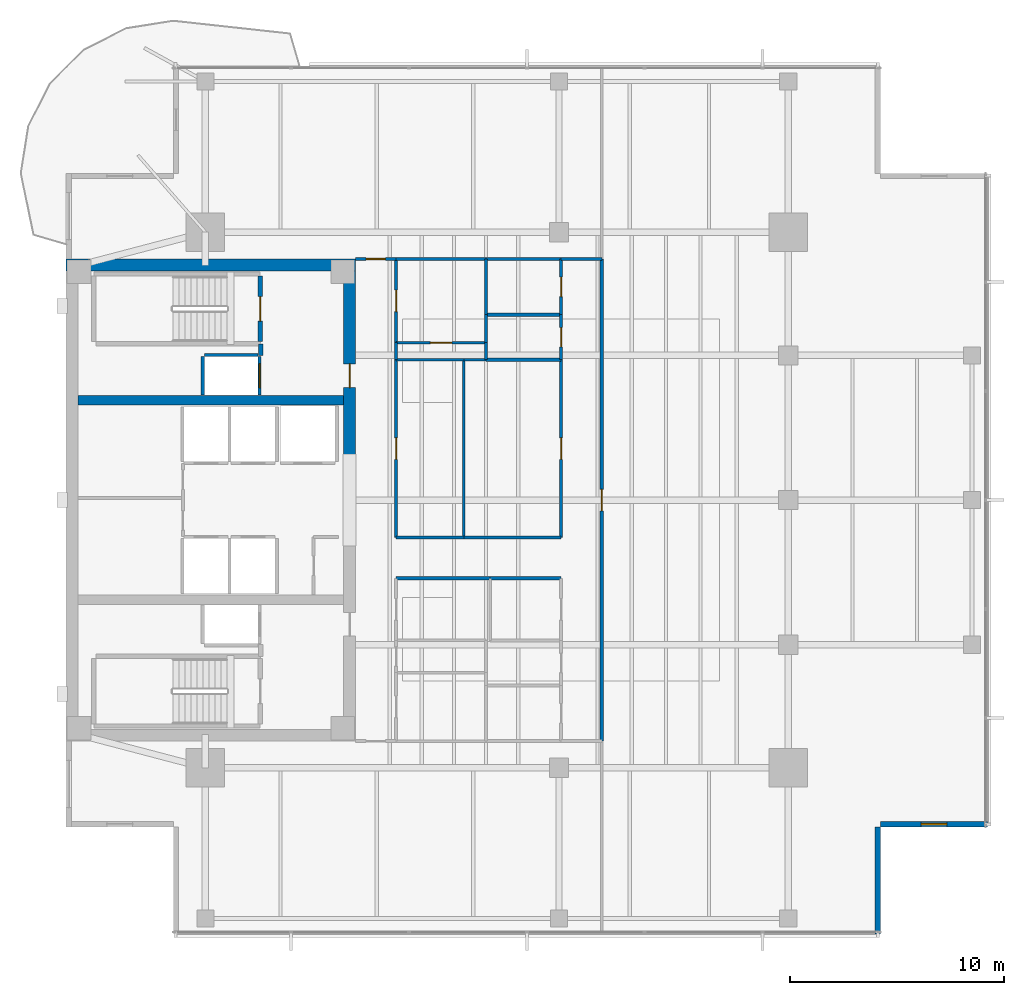
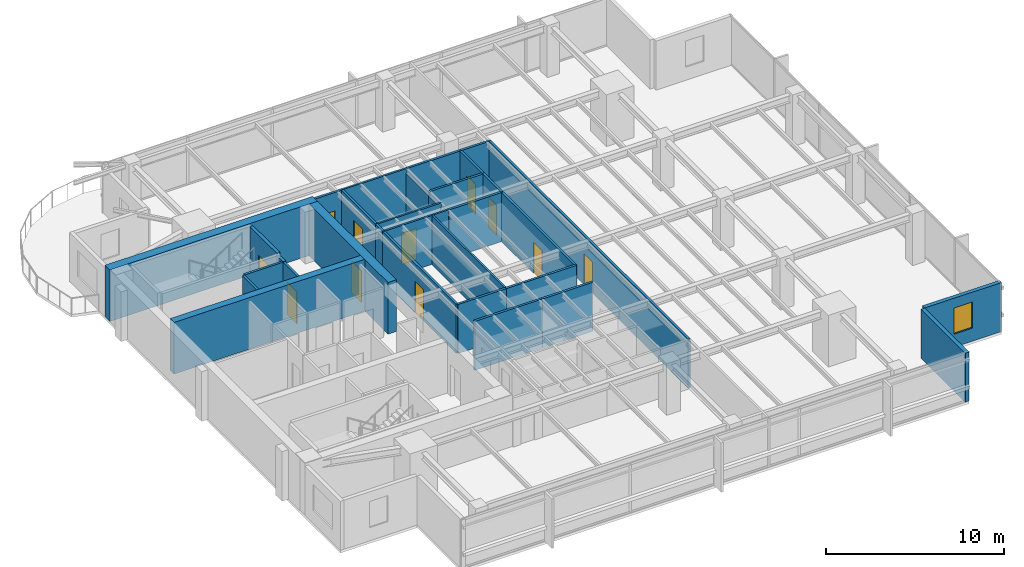
# One storey, part 9 of 14: 34 walls, 11 doors, 1 window, 12 openings.
"""IFC4 building model written with IfcOpenShell, lengths in metres."""

from ifc_helpers import new_model, si_unit, direction, frame, frame_2d, origin, place, context, subcontext, project, spatial, rectangle, extrude, material, layer, layer_set, type_object, element, fill, save


model = new_model("IFC4")

# Units and contexts
model_context = context("Model", 3, precision=1e-05, world=origin(), true_north=direction((0.0, 1.0)))
body_context = subcontext(model_context, "Body", "Model", "MODEL_VIEW")
ifc_project = project(units=[si_unit("LENGTHUNIT", "METRE"), si_unit("AREAUNIT", "SQUARE_METRE"), si_unit("VOLUMEUNIT", "CUBIC_METRE"), si_unit("PLANEANGLEUNIT", "RADIAN"), si_unit("MASSUNIT", "GRAM", prefix="KILO")], contexts=[model_context])

# Site, building, storey
site_placement = place(None, origin())
site = spatial("IfcSite", under=ifc_project, at=site_placement, CompositionType="ELEMENT")
building_placement = place(site_placement, origin())
building = spatial("IfcBuilding", under=site, at=building_placement, Name="Kinhvarn Gate Tower", CompositionType="ELEMENT")
storey_placement = place(building_placement, frame((0.0, 0.0, 191.60009765625)))
storey = spatial("IfcBuildingStorey", under=building, at=storey_placement, Name="L50", CompositionType="ELEMENT", Elevation=191.60009765625)

# Walls
ifc_material_1 = material(Name="Concrete C50/60", Category="concrete")
ifc_layer_1 = layer(ifc_material_1, 0.449951171875)
ifc_layer_set_1 = layer_set([ifc_layer_1], Name="Concrete C50/60")
wall_type_1 = type_object("IfcWallType", Name="WL-CORE-450", PredefinedType="SHEAR", material=ifc_layer_set_1)
wall_1_placement = place(storey_placement, frame((5.050048828125, 29.89990234375, 0.0), z_axis=(0.0, 0.0, 1.0), x_axis=(1.0, 0.0, 0.0)))
element("IfcWall", 1, at=wall_1_placement, inside=storey, type_object=wall_type_1, Name="Core North Spine Shear Wall L50 450 mm", PredefinedType="SHEAR", context=body_context, shape_type="SweptSolid", body=[
    extrude(rectangle(XDim=12.39990234375, YDim=0.449951171875, at=frame_2d((6.199951171875, 0.0))), origin(), (0.0, 0.0, 1.0), 3.5498046875),
])
ifc_material_2 = material(Name="Concrete C60/75", Category="concrete")
ifc_layer_2 = layer(ifc_material_2, 0.550048828125)
ifc_layer_set_2 = layer_set([ifc_layer_2], Name="Concrete C60/75")
wall_type_2 = type_object("IfcWallType", Name="WL-CORE-550", PredefinedType="SHEAR", material=ifc_layer_set_2)
wall_2_placement = place(storey_placement, frame((4.5, 36.22509765625, 0.0), z_axis=(0.0, 0.0, 1.0), x_axis=(1.0, 0.0, 0.0)))
element("IfcWall", 2, at=wall_2_placement, inside=storey, type_object=wall_type_2, Name="Core North Shear Wall L50 550 mm", PredefinedType="SHEAR", context=body_context, shape_type="SweptSolid", body=[
    extrude(rectangle(XDim=13.5, YDim=0.550048828125, at=frame_2d((6.75, 0.0))), origin(), (0.0, 0.0, 1.0), 3.5498046875),
])

# Wall, opening, door
wall_3_placement = place(storey_placement, frame((17.72509765625, 27.050048828125, 0.0), z_axis=(0.0, 0.0, 1.0), x_axis=(0.0, 1.0, 0.0)))
wall_3 = element("IfcWall", 3, at=wall_3_placement, inside=storey, type_object=wall_type_2, Name="Core East-North Shear Pier L50 550 mm", PredefinedType="SHEAR", context=body_context, shape_type="SweptSolid", body=[
    extrude(rectangle(XDim=8.89990234375, YDim=0.550048828125, at=frame_2d((4.449951171875, 0.0))), origin(), (0.0, 0.0, 1.0), 3.5498046875),
])
opening_1_placement = place(wall_3_placement, frame((3.449951171875, 0.0, 0.0)))
opening_1 = element("IfcOpeningElement", 4, at=opening_1_placement, cuts=wall_3, Name="Opening FD-02", PredefinedType="OPENING", context=body_context, shape_type="SweptSolid", body=[
    extrude(rectangle(XDim=1.10009765625, YDim=2.14990234375, at=frame_2d((0.550048828125, 1.074951171875))), frame((0.0, 0.28515625, 0.0), z_axis=(0.0, -1.0, 0.0), x_axis=(1.0, 0.0, 0.0)), (0.0, 0.0, 1.0), 0.570068359375),
])
ifc_material_3 = material(Name="Anodised aluminium AW-6063", Category="aluminium")
door_type_1 = type_object("IfcDoorType", Name="DR-FD-1100", OperationType="NOTDEFINED", PredefinedType="DOOR", material=ifc_material_3)
door_1_placement = place(opening_1_placement, origin())
door_1 = element("IfcDoor", 5, at=door_1_placement, inside=storey, type_object=door_type_1, Name="Firefighting Lobby Core Door (L50)", OperationType="SINGLE_SWING_LEFT", OverallHeight=2.14990234375, OverallWidth=1.10009765625, PredefinedType="DOOR", context=body_context, shape_type="SweptSolid", body=[
    extrude(rectangle(XDim=1.10009765625, YDim=2.14990234375, at=frame_2d((0.550048828125, 1.074951171875))), frame((0.0, 0.02490234375, 0.0), z_axis=(0.0, -1.0, 0.0), x_axis=(1.0, 0.0, 0.0)), (0.0, 0.0, 1.0), 0.050048828125),
])
fill(opening_1, door_1)

# Wall
ifc_material_4 = material(Name="Fired architectural terracotta", Category="masonry")
ifc_layer_3 = layer(ifc_material_4, 0.25)
ifc_layer_set_3 = layer_set([ifc_layer_3], Name="Fired architectural terracotta")
wall_type_3 = type_object("IfcWallType", Name="WL-EXT-250", PredefinedType="SOLIDWALL", material=ifc_layer_set_3)
wall_4_placement = place(storey_placement, frame((42.375, 5.0, 0.0), z_axis=(0.0, 0.0, 1.0), x_axis=(0.0, 1.0, 0.0)))
element("IfcWall", 6, at=wall_4_placement, inside=storey, type_object=wall_type_3, Name="Exterior Solidwall Wall EW-250 (L50 SE-Notch-1)", PredefinedType="SOLIDWALL", context=body_context, shape_type="SweptSolid", body=[
    extrude(rectangle(XDim=5.0, YDim=0.25, at=frame_2d((2.5, 0.0))), origin(), (0.0, 0.0, 1.0), 3.369873046875),
])

# Wall, opening, window
wall_5_placement = place(storey_placement, frame((42.5, 10.125, 0.0), z_axis=(0.0, 0.0, 1.0), x_axis=(1.0, 0.0, 0.0)))
wall_5 = element("IfcWall", 7, at=wall_5_placement, inside=storey, type_object=wall_type_3, Name="Exterior Solidwall Wall EW-250 (L50 SE-Notch-2)", PredefinedType="SOLIDWALL", context=body_context, shape_type="SweptSolid", body=[
    extrude(rectangle(XDim=5.0, YDim=0.25, at=frame_2d((2.5, 0.0))), origin(), (0.0, 0.0, 1.0), 3.369873046875),
])
opening_2_placement = place(wall_5_placement, frame((1.89990234375, 0.0, 0.89990234375)))
opening_2 = element("IfcOpeningElement", 8, at=opening_2_placement, cuts=wall_5, Name="Opening WN-02", PredefinedType="OPENING", context=body_context, shape_type="SweptSolid", body=[
    extrude(rectangle(XDim=1.199951171875, YDim=1.800048828125, at=frame_2d((0.60009765625, 0.89990234375))), frame((0.0, 0.135009765625, 0.0), z_axis=(0.0, -1.0, 0.0), x_axis=(1.0, 0.0, 0.0)), (0.0, 0.0, 1.0), 0.27001953125),
])
ifc_material_5 = material(Name="Clear low-e double glazing", Category="glass")
window_type = type_object("IfcWindowType", Name="WIN-NTC-1200", PartitioningType="SINGLE_PANEL", PredefinedType="WINDOW", material=ifc_material_5)
window_placement = place(opening_2_placement, origin())
window = element("IfcWindow", 9, at=window_placement, inside=storey, type_object=window_type, Name="Recessed Corner Notch Punched Window 1200x1800 mm (L50)", OverallHeight=1.800048828125, OverallWidth=1.199951171875, PartitioningType="SINGLE_PANEL", PredefinedType="WINDOW", context=body_context, shape_type="SweptSolid", body=[
    extrude(rectangle(XDim=1.199951171875, YDim=1.800048828125, at=frame_2d((0.60009765625, 0.89990234375))), frame((0.0, 0.030029296875, 0.0), z_axis=(0.0, -1.0, 0.0), x_axis=(1.0, 0.0, 0.0)), (0.0, 0.0, 1.0), 0.06005859375),
])
fill(opening_2, window)

# Walls
ifc_material_6 = material(Name="Gypsum acoustic partition board")
ifc_layer_4 = layer(ifc_material_6, 0.14990234375)
ifc_layer_set_4 = layer_set([ifc_layer_4], Name="Gypsum acoustic partition board")
wall_type_4 = type_object("IfcWallType", Name="WL-PLM-150", PredefinedType="PLUMBINGWALL", material=ifc_layer_set_4)
wall_6_placement = place(storey_placement, frame((24.10009765625, 33.89990234375, 0.0), z_axis=(0.0, 0.0, 1.0), x_axis=(1.0, 0.0, 0.0)))
element("IfcWall", 10, at=wall_6_placement, inside=storey, type_object=wall_type_4, Name="Interior Partition PLW-150 (L50)", PredefinedType="PLUMBINGWALL", context=body_context, shape_type="SweptSolid", body=[
    extrude(rectangle(XDim=3.5, YDim=0.14990234375, at=frame_2d((1.75, 0.0))), origin(), (0.0, 0.0, 1.0), 3.369873046875),
])
wall_7_placement = place(storey_placement, frame((24.10009765625, 33.89990234375, 0.0), z_axis=(0.0, 0.0, 1.0), x_axis=(0.0, 1.0, 0.0)))
element("IfcWall", 11, at=wall_7_placement, inside=storey, type_object=wall_type_4, Name="Interior Partition PLW-150 (L50)", PredefinedType="PLUMBINGWALL", context=body_context, shape_type="SweptSolid", body=[
    extrude(rectangle(XDim=2.60009765625, YDim=0.14990234375, at=frame_2d((1.300048828125, 0.0))), origin(), (0.0, 0.0, 1.0), 3.06982421875),
])
wall_8_placement = place(storey_placement, frame((24.10009765625, 36.5, 0.0), z_axis=(0.0, 0.0, 1.0), x_axis=(1.0, 0.0, 0.0)))
element("IfcWall", 12, at=wall_8_placement, inside=storey, type_object=wall_type_4, Name="Interior Partition PLW-150 (L50)", PredefinedType="PLUMBINGWALL", context=body_context, shape_type="SweptSolid", body=[
    extrude(rectangle(XDim=3.5, YDim=0.14990234375, at=frame_2d((1.75, 0.0))), origin(), (0.0, 0.0, 1.0), 3.369873046875),
])
wall_9_placement = place(storey_placement, frame((24.10009765625, 32.60009765625, 0.0), z_axis=(0.0, 0.0, 1.0), x_axis=(0.0, 1.0, 0.0)))
element("IfcWall", 13, at=wall_9_placement, inside=storey, type_object=wall_type_4, Name="Interior Partition PLW-150 (L50)", PredefinedType="PLUMBINGWALL", context=body_context, shape_type="SweptSolid", body=[
    extrude(rectangle(XDim=1.2998046875, YDim=0.14990234375, at=frame_2d((0.64990234375, 0.0))), origin(), (0.0, 0.0, 1.0), 3.06982421875),
])
wall_10_placement = place(storey_placement, frame((24.10009765625, 31.800048828125, 0.0), z_axis=(0.0, 0.0, 1.0), x_axis=(0.0, 1.0, 0.0)))
element("IfcWall", 14, at=wall_10_placement, inside=storey, type_object=wall_type_4, Name="Interior Partition PLW-150 (L50)", PredefinedType="PLUMBINGWALL", context=body_context, shape_type="SweptSolid", body=[
    extrude(rectangle(XDim=0.800048828125, YDim=0.14990234375, at=frame_2d((0.39990234375, 0.0))), origin(), (0.0, 0.0, 1.0), 3.06982421875),
])
wall_11_placement = place(storey_placement, frame((24.10009765625, 31.800048828125, 0.0), z_axis=(0.0, 0.0, 1.0), x_axis=(1.0, 0.0, 0.0)))
element("IfcWall", 15, at=wall_11_placement, inside=storey, type_object=wall_type_4, Name="Interior Partition PLW-150 (L50)", PredefinedType="PLUMBINGWALL", context=body_context, shape_type="SweptSolid", body=[
    extrude(rectangle(XDim=3.5, YDim=0.14990234375, at=frame_2d((1.75, 0.0))), origin(), (0.0, 0.0, 1.0), 3.369873046875),
])

# Wall, opening, door
ifc_layer_5 = layer(ifc_material_6, 0.14990234375)
ifc_layer_set_5 = layer_set([ifc_layer_5], Name="Gypsum acoustic partition board")
wall_type_5 = type_object("IfcWallType", Name="WL-PLM-150F", PredefinedType="PLUMBINGWALL", material=ifc_layer_set_5)
wall_12_placement = place(storey_placement, frame((27.60009765625, 33.89990234375, 0.0), z_axis=(0.0, 0.0, 1.0), x_axis=(0.0, 1.0, 0.0)))
wall_12 = element("IfcWall", 16, at=wall_12_placement, inside=storey, type_object=wall_type_5, Name="Interior Partition PLW-150F (L50)", PredefinedType="PLUMBINGWALL", context=body_context, shape_type="SweptSolid", body=[
    extrude(rectangle(XDim=2.60009765625, YDim=0.14990234375, at=frame_2d((1.300048828125, 0.0))), origin(), (0.0, 0.0, 1.0), 3.369873046875),
])
opening_3_placement = place(wall_12_placement, frame((0.85009765625, 0.0, 0.0)))
opening_3 = element("IfcOpeningElement", 17, at=opening_3_placement, cuts=wall_12, Name="Opening FD-04", PredefinedType="OPENING", context=body_context, shape_type="SweptSolid", body=[
    extrude(rectangle(XDim=0.89990234375, YDim=2.10009765625, at=frame_2d((0.449951171875, 1.050048828125))), frame((0.0, 0.0849609375, 0.0), z_axis=(0.0, -1.0, 0.0), x_axis=(1.0, 0.0, 0.0)), (0.0, 0.0, 1.0), 0.169921875),
])
door_type_2 = type_object("IfcDoorType", Name="DR-FD-900", OperationType="NOTDEFINED", PredefinedType="DOOR", material=ifc_material_3)
door_2_placement = place(opening_3_placement, origin())
door_2 = element("IfcDoor", 18, at=door_2_placement, inside=storey, type_object=door_type_2, Name="Rated Riser & Service Closet Fire Door 900x2100 mm (L50)", OperationType="SINGLE_SWING_RIGHT", OverallHeight=2.10009765625, OverallWidth=0.89990234375, PredefinedType="DOOR", context=body_context, shape_type="SweptSolid", body=[
    extrude(rectangle(XDim=0.89990234375, YDim=2.10009765625, at=frame_2d((0.449951171875, 1.050048828125))), frame((0.0, 0.02490234375, 0.0), z_axis=(0.0, -1.0, 0.0), x_axis=(1.0, 0.0, 0.0)), (0.0, 0.0, 1.0), 0.050048828125),
])
fill(opening_3, door_2)

wall_13_placement = place(storey_placement, frame((27.60009765625, 31.800048828125, 0.0), z_axis=(0.0, 0.0, 1.0), x_axis=(0.0, 1.0, 0.0)))
wall_13 = element("IfcWall", 19, at=wall_13_placement, inside=storey, type_object=wall_type_5, Name="Interior Partition PLW-150F (L50)", PredefinedType="PLUMBINGWALL", context=body_context, shape_type="SweptSolid", body=[
    extrude(rectangle(XDim=2.099853515625, YDim=0.14990234375, at=frame_2d((1.0498046875, 0.0))), origin(), (0.0, 0.0, 1.0), 3.369873046875),
])
opening_4_placement = place(wall_13_placement, frame((0.60009765625, 0.0, 0.0)))
opening_4 = element("IfcOpeningElement", 20, at=opening_4_placement, cuts=wall_13, Name="Opening FD-04", PredefinedType="OPENING", context=body_context, shape_type="SweptSolid", body=[
    extrude(rectangle(XDim=0.89990234375, YDim=2.10009765625, at=frame_2d((0.449951171875, 1.050048828125))), frame((0.0, 0.0849609375, 0.0), z_axis=(0.0, -1.0, 0.0), x_axis=(1.0, 0.0, 0.0)), (0.0, 0.0, 1.0), 0.169921875),
])
door_3_placement = place(opening_4_placement, origin())
door_3 = element("IfcDoor", 21, at=door_3_placement, inside=storey, type_object=door_type_2, Name="Rated Riser & Service Closet Fire Door 900x2100 mm (L50)", OperationType="SINGLE_SWING_RIGHT", OverallHeight=2.10009765625, OverallWidth=0.89990234375, PredefinedType="DOOR", context=body_context, shape_type="SweptSolid", body=[
    extrude(rectangle(XDim=0.89990234375, YDim=2.10009765625, at=frame_2d((0.449951171875, 1.050048828125))), frame((0.0, 0.02490234375, 0.0), z_axis=(0.0, -1.0, 0.0), x_axis=(1.0, 0.0, 0.0)), (0.0, 0.0, 1.0), 0.050048828125),
])
fill(opening_4, door_3)

ifc_layer_6 = layer(ifc_material_6, 0.1201171875)
ifc_layer_set_6 = layer_set([ifc_layer_6], Name="Gypsum acoustic partition board")
wall_type_6 = type_object("IfcWallType", Name="WL-PRT-120", PredefinedType="PARTITIONING", material=ifc_layer_set_6)
wall_14_placement = place(storey_placement, frame((19.89990234375, 32.60009765625, 0.0), z_axis=(0.0, 0.0, 1.0), x_axis=(1.0, 0.0, 0.0)))
wall_14 = element("IfcWall", 22, at=wall_14_placement, inside=storey, type_object=wall_type_6, Name="Interior Partition PW-120 (L50)", PredefinedType="PARTITIONING", context=body_context, shape_type="SweptSolid", body=[
    extrude(rectangle(XDim=4.2001953125, YDim=0.1201171875, at=frame_2d((2.10009765625, 0.0))), origin(), (0.0, 0.0, 1.0), 3.369873046875),
])
opening_5_placement = place(wall_14_placement, frame((1.60009765625, 0.0, 0.0)))
opening_5 = element("IfcOpeningElement", 23, at=opening_5_placement, cuts=wall_14, Name="Opening ID-02", PredefinedType="OPENING", context=body_context, shape_type="SweptSolid", body=[
    extrude(rectangle(XDim=1.0, YDim=2.14990234375, at=frame_2d((0.5, 1.074951171875))), frame((0.0, 0.070068359375, 0.0), z_axis=(0.0, -1.0, 0.0), x_axis=(1.0, 0.0, 0.0)), (0.0, 0.0, 1.0), 0.14013671875),
])
door_type_3 = type_object("IfcDoorType", Name="DR-INT-1000", OperationType="NOTDEFINED", PredefinedType="DOOR", material=ifc_material_3)
door_4_placement = place(opening_5_placement, origin())
door_4 = element("IfcDoor", 24, at=door_4_placement, inside=storey, type_object=door_type_3, Name="Standard Office & Meeting Room Door 1000x2150 mm (L50)", OperationType="SINGLE_SWING_RIGHT", OverallHeight=2.14990234375, OverallWidth=1.0, PredefinedType="DOOR", context=body_context, shape_type="SweptSolid", body=[
    extrude(rectangle(XDim=1.0, YDim=2.14990234375, at=frame_2d((0.5, 1.074951171875))), frame((0.0, 0.02490234375, 0.0), z_axis=(0.0, -1.0, 0.0), x_axis=(1.0, 0.0, 0.0)), (0.0, 0.0, 1.0), 0.050048828125),
])
fill(opening_5, door_4)

# Walls
wall_15_placement = place(storey_placement, frame((19.89990234375, 36.5, 0.0), z_axis=(0.0, 0.0, 1.0), x_axis=(1.0, 0.0, 0.0)))
element("IfcWall", 25, at=wall_15_placement, inside=storey, type_object=wall_type_6, Name="Interior Partition PW-120 (L50)", PredefinedType="PARTITIONING", context=body_context, shape_type="SweptSolid", body=[
    extrude(rectangle(XDim=4.2001953125, YDim=0.1201171875, at=frame_2d((2.10009765625, 0.0))), origin(), (0.0, 0.0, 1.0), 3.369873046875),
])
wall_16_placement = place(storey_placement, frame((19.89990234375, 31.800048828125, 0.0), z_axis=(0.0, 0.0, 1.0), x_axis=(1.0, 0.0, 0.0)))
element("IfcWall", 26, at=wall_16_placement, inside=storey, type_object=wall_type_6, Name="Interior Partition PW-120 (L50)", PredefinedType="PARTITIONING", context=body_context, shape_type="SweptSolid", body=[
    extrude(rectangle(XDim=3.16015625, YDim=0.1201171875, at=frame_2d((1.580078125, 0.0))), origin(), (0.0, 0.0, 1.0), 3.369873046875),
])
wall_17_placement = place(storey_placement, frame((23.06005859375, 31.800048828125, 0.0), z_axis=(0.0, 0.0, 1.0), x_axis=(1.0, 0.0, 0.0)))
element("IfcWall", 27, at=wall_17_placement, inside=storey, type_object=wall_type_6, Name="Interior Partition PW-120 (L50)", PredefinedType="PARTITIONING", context=body_context, shape_type="SweptSolid", body=[
    extrude(rectangle(XDim=1.0400390625, YDim=0.1201171875, at=frame_2d((0.52001953125, 0.0))), origin(), (0.0, 0.0, 1.0), 3.369873046875),
])
wall_18_placement = place(storey_placement, frame((23.06005859375, 23.5, 0.0), z_axis=(0.0, 0.0, 1.0), x_axis=(0.0, 1.0, 0.0)))
element("IfcWall", 28, at=wall_18_placement, inside=storey, type_object=wall_type_6, Name="Interior Partition PW-120 (L50)", PredefinedType="PARTITIONING", context=body_context, shape_type="SweptSolid", body=[
    extrude(rectangle(XDim=8.300048828125, YDim=0.1201171875, at=frame_2d((4.14990234375, 0.0))), origin(), (0.0, 0.0, 1.0), 3.369873046875),
])

# Wall, opening, door
ifc_layer_7 = layer(ifc_material_6, 0.14990234375)
ifc_layer_set_7 = layer_set([ifc_layer_7], Name="Gypsum acoustic partition board")
wall_type_7 = type_object("IfcWallType", Name="WL-PRT-150F", PredefinedType="PARTITIONING", material=ifc_layer_set_7)
wall_19_placement = place(storey_placement, frame((19.89990234375, 32.60009765625, 0.0), z_axis=(0.0, 0.0, 1.0), x_axis=(0.0, 1.0, 0.0)))
wall_19 = element("IfcWall", 29, at=wall_19_placement, inside=storey, type_object=wall_type_7, Name="Interior Partition PW-150F (L50)", PredefinedType="PARTITIONING", context=body_context, shape_type="SweptSolid", body=[
    extrude(rectangle(XDim=3.89990234375, YDim=0.14990234375, at=frame_2d((1.949951171875, 0.0))), origin(), (0.0, 0.0, 1.0), 3.369873046875),
])
opening_6_placement = place(wall_19_placement, frame((1.449951171875, 0.0, 0.0)))
opening_6 = element("IfcOpeningElement", 30, at=opening_6_placement, cuts=wall_19, Name="Opening ID-02", PredefinedType="OPENING", context=body_context, shape_type="SweptSolid", body=[
    extrude(rectangle(XDim=1.0, YDim=2.14990234375, at=frame_2d((0.5, 1.074951171875))), frame((0.0, 0.0849609375, 0.0), z_axis=(0.0, -1.0, 0.0), x_axis=(1.0, 0.0, 0.0)), (0.0, 0.0, 1.0), 0.169921875),
])
door_5_placement = place(opening_6_placement, origin())
door_5 = element("IfcDoor", 31, at=door_5_placement, inside=storey, type_object=door_type_3, Name="Standard Office & Meeting Room Door 1000x2150 mm (L50)", OperationType="SINGLE_SWING_RIGHT", OverallHeight=2.14990234375, OverallWidth=1.0, PredefinedType="DOOR", context=body_context, shape_type="SweptSolid", body=[
    extrude(rectangle(XDim=1.0, YDim=2.14990234375, at=frame_2d((0.5, 1.074951171875))), frame((0.0, 0.02490234375, 0.0), z_axis=(0.0, -1.0, 0.0), x_axis=(1.0, 0.0, 0.0)), (0.0, 0.0, 1.0), 0.050048828125),
])
fill(opening_6, door_5)

# Wall
wall_20_placement = place(storey_placement, frame((19.89990234375, 31.800048828125, 0.0), z_axis=(0.0, 0.0, 1.0), x_axis=(0.0, 1.0, 0.0)))
element("IfcWall", 32, at=wall_20_placement, inside=storey, type_object=wall_type_7, Name="Interior Partition PW-150F (L50)", PredefinedType="PARTITIONING", context=body_context, shape_type="SweptSolid", body=[
    extrude(rectangle(XDim=0.800048828125, YDim=0.14990234375, at=frame_2d((0.39990234375, 0.0))), origin(), (0.0, 0.0, 1.0), 3.369873046875),
])

# Wall, opening, door
wall_21_placement = place(storey_placement, frame((19.89990234375, 23.5, 0.0), z_axis=(0.0, 0.0, 1.0), x_axis=(0.0, 1.0, 0.0)))
wall_21 = element("IfcWall", 33, at=wall_21_placement, inside=storey, type_object=wall_type_7, Name="Interior Partition PW-150F (L50)", PredefinedType="PARTITIONING", context=body_context, shape_type="SweptSolid", body=[
    extrude(rectangle(XDim=8.300048828125, YDim=0.14990234375, at=frame_2d((4.14990234375, 0.0))), origin(), (0.0, 0.0, 1.0), 3.369873046875),
])
opening_7_placement = place(wall_21_placement, frame((3.64990234375, 0.0, 0.0)))
opening_7 = element("IfcOpeningElement", 34, at=opening_7_placement, cuts=wall_21, Name="Opening ID-02", PredefinedType="OPENING", context=body_context, shape_type="SweptSolid", body=[
    extrude(rectangle(XDim=1.0, YDim=2.14990234375, at=frame_2d((0.5, 1.074951171875))), frame((0.0, 0.0849609375, 0.0), z_axis=(0.0, -1.0, 0.0), x_axis=(1.0, 0.0, 0.0)), (0.0, 0.0, 1.0), 0.169921875),
])
door_6_placement = place(opening_7_placement, origin())
door_6 = element("IfcDoor", 35, at=door_6_placement, inside=storey, type_object=door_type_3, Name="Standard Office & Meeting Room Door 1000x2150 mm (L50)", OperationType="SINGLE_SWING_RIGHT", OverallHeight=2.14990234375, OverallWidth=1.0, PredefinedType="DOOR", context=body_context, shape_type="SweptSolid", body=[
    extrude(rectangle(XDim=1.0, YDim=2.14990234375, at=frame_2d((0.5, 1.074951171875))), frame((0.0, 0.02490234375, 0.0), z_axis=(0.0, -1.0, 0.0), x_axis=(1.0, 0.0, 0.0)), (0.0, 0.0, 1.0), 0.050048828125),
])
fill(opening_7, door_6)

wall_22_placement = place(storey_placement, frame((18.0, 36.5, 0.0), z_axis=(0.0, 0.0, 1.0), x_axis=(1.0, 0.0, 0.0)))
wall_22 = element("IfcWall", 36, at=wall_22_placement, inside=storey, type_object=wall_type_7, Name="Interior Partition PW-150F (L50)", PredefinedType="PARTITIONING", context=body_context, shape_type="SweptSolid", body=[
    extrude(rectangle(XDim=1.89990234375, YDim=0.14990234375, at=frame_2d((0.949951171875, 0.0))), origin(), (0.0, 0.0, 1.0), 3.369873046875),
])
opening_8_placement = place(wall_22_placement, frame((0.5, 0.0, 0.0)))
opening_8 = element("IfcOpeningElement", 37, at=opening_8_placement, cuts=wall_22, Name="Opening ID-03", PredefinedType="OPENING", context=body_context, shape_type="SweptSolid", body=[
    extrude(rectangle(XDim=0.89990234375, YDim=2.10009765625, at=frame_2d((0.449951171875, 1.050048828125))), frame((0.0, 0.0849609375, 0.0), z_axis=(0.0, -1.0, 0.0), x_axis=(1.0, 0.0, 0.0)), (0.0, 0.0, 1.0), 0.169921875),
])
door_type_4 = type_object("IfcDoorType", Name="DR-INT-900", OperationType="NOTDEFINED", PredefinedType="DOOR", material=ifc_material_3)
door_7_placement = place(opening_8_placement, origin())
door_7 = element("IfcDoor", 38, at=door_7_placement, inside=storey, type_object=door_type_4, Name="Cellular Office & Restroom Door 900x2100 mm (L50)", OperationType="SINGLE_SWING_RIGHT", OverallHeight=2.10009765625, OverallWidth=0.89990234375, PredefinedType="DOOR", context=body_context, shape_type="SweptSolid", body=[
    extrude(rectangle(XDim=0.89990234375, YDim=2.10009765625, at=frame_2d((0.449951171875, 1.050048828125))), frame((0.0, 0.02490234375, 0.0), z_axis=(0.0, -1.0, 0.0), x_axis=(1.0, 0.0, 0.0)), (0.0, 0.0, 1.0), 0.050048828125),
])
fill(opening_8, door_7)

# Walls
wall_23_placement = place(storey_placement, frame((19.89990234375, 21.60009765625, 0.0), z_axis=(0.0, 0.0, 1.0), x_axis=(1.0, 0.0, 0.0)))
element("IfcWall", 39, at=wall_23_placement, inside=storey, type_object=wall_type_7, Name="Interior Partition PW-150F (L50)", PredefinedType="PARTITIONING", context=body_context, shape_type="SweptSolid", body=[
    extrude(rectangle(XDim=4.39013671875, YDim=0.14990234375, at=frame_2d((2.195068359375, 0.0))), origin(), (0.0, 0.0, 1.0), 3.369873046875),
])
wall_24_placement = place(storey_placement, frame((24.2900390625, 21.60009765625, 0.0), z_axis=(0.0, 0.0, 1.0), x_axis=(1.0, 0.0, 0.0)))
element("IfcWall", 40, at=wall_24_placement, inside=storey, type_object=wall_type_7, Name="Interior Partition PW-150F (L50)", PredefinedType="PARTITIONING", context=body_context, shape_type="SweptSolid", body=[
    extrude(rectangle(XDim=3.31005859375, YDim=0.14990234375, at=frame_2d((1.655029296875, 0.0))), origin(), (0.0, 0.0, 1.0), 3.369873046875),
])
wall_25_placement = place(storey_placement, frame((19.89990234375, 23.5, 0.0), z_axis=(0.0, 0.0, 1.0), x_axis=(1.0, 0.0, 0.0)))
element("IfcWall", 41, at=wall_25_placement, inside=storey, type_object=wall_type_7, Name="Interior Partition PW-150F (L50)", PredefinedType="PARTITIONING", context=body_context, shape_type="SweptSolid", body=[
    extrude(rectangle(XDim=3.16015625, YDim=0.14990234375, at=frame_2d((1.580078125, 0.0))), origin(), (0.0, 0.0, 1.0), 3.369873046875),
])
wall_26_placement = place(storey_placement, frame((23.06005859375, 23.5, 0.0), z_axis=(0.0, 0.0, 1.0), x_axis=(1.0, 0.0, 0.0)))
element("IfcWall", 42, at=wall_26_placement, inside=storey, type_object=wall_type_7, Name="Interior Partition PW-150F (L50)", PredefinedType="PARTITIONING", context=body_context, shape_type="SweptSolid", body=[
    extrude(rectangle(XDim=4.5400390625, YDim=0.14990234375, at=frame_2d((2.27001953125, 0.0))), origin(), (0.0, 0.0, 1.0), 3.369873046875),
])

# Wall, opening, door
wall_27_placement = place(storey_placement, frame((27.60009765625, 23.5, 0.0), z_axis=(0.0, 0.0, 1.0), x_axis=(0.0, 1.0, 0.0)))
wall_27 = element("IfcWall", 43, at=wall_27_placement, inside=storey, type_object=wall_type_7, Name="Interior Partition PW-150F (L50)", PredefinedType="PARTITIONING", context=body_context, shape_type="SweptSolid", body=[
    extrude(rectangle(XDim=8.300048828125, YDim=0.14990234375, at=frame_2d((4.14990234375, 0.0))), origin(), (0.0, 0.0, 1.0), 3.369873046875),
])
opening_9_placement = place(wall_27_placement, frame((3.64990234375, 0.0, 0.0)))
opening_9 = element("IfcOpeningElement", 44, at=opening_9_placement, cuts=wall_27, Name="Opening ID-02", PredefinedType="OPENING", context=body_context, shape_type="SweptSolid", body=[
    extrude(rectangle(XDim=1.0, YDim=2.14990234375, at=frame_2d((0.5, 1.074951171875))), frame((0.0, 0.0849609375, 0.0), z_axis=(0.0, -1.0, 0.0), x_axis=(1.0, 0.0, 0.0)), (0.0, 0.0, 1.0), 0.169921875),
])
door_8_placement = place(opening_9_placement, origin())
door_8 = element("IfcDoor", 45, at=door_8_placement, inside=storey, type_object=door_type_3, Name="Standard Office & Meeting Room Door 1000x2150 mm (L50)", OperationType="SINGLE_SWING_RIGHT", OverallHeight=2.14990234375, OverallWidth=1.0, PredefinedType="DOOR", context=body_context, shape_type="SweptSolid", body=[
    extrude(rectangle(XDim=1.0, YDim=2.14990234375, at=frame_2d((0.5, 1.074951171875))), frame((0.0, 0.02490234375, 0.0), z_axis=(0.0, -1.0, 0.0), x_axis=(1.0, 0.0, 0.0)), (0.0, 0.0, 1.0), 0.050048828125),
])
fill(opening_9, door_8)

# Wall
wall_28_placement = place(storey_placement, frame((27.60009765625, 36.5, 0.0), z_axis=(0.0, 0.0, 1.0), x_axis=(1.0, 0.0, 0.0)))
element("IfcWall", 46, at=wall_28_placement, inside=storey, type_object=wall_type_7, Name="Interior Partition PW-150F (L50)", PredefinedType="PARTITIONING", context=body_context, shape_type="SweptSolid", body=[
    extrude(rectangle(XDim=1.89990234375, YDim=0.14990234375, at=frame_2d((0.949951171875, 0.0))), origin(), (0.0, 0.0, 1.0), 3.369873046875),
])

# Wall, opening, door
wall_29_placement = place(storey_placement, frame((29.5, 14.0, 0.0), z_axis=(0.0, 0.0, 1.0), x_axis=(0.0, 1.0, 0.0)))
wall_29 = element("IfcWall", 47, at=wall_29_placement, inside=storey, type_object=wall_type_7, Name="Interior Partition PW-150F (L50)", PredefinedType="PARTITIONING", context=body_context, shape_type="SweptSolid", body=[
    extrude(rectangle(XDim=22.5, YDim=0.14990234375, at=frame_2d((11.25, 0.0))), origin(), (0.0, 0.0, 1.0), 3.369873046875),
])
opening_10_placement = place(wall_29_placement, frame((10.75, 0.0, 0.0)))
opening_10 = element("IfcOpeningElement", 48, at=opening_10_placement, cuts=wall_29, Name="Opening ID-02", PredefinedType="OPENING", context=body_context, shape_type="SweptSolid", body=[
    extrude(rectangle(XDim=1.0, YDim=2.14990234375, at=frame_2d((0.5, 1.074951171875))), frame((0.0, 0.0849609375, 0.0), z_axis=(0.0, -1.0, 0.0), x_axis=(1.0, 0.0, 0.0)), (0.0, 0.0, 1.0), 0.169921875),
])
door_9_placement = place(opening_10_placement, origin())
door_9 = element("IfcDoor", 49, at=door_9_placement, inside=storey, type_object=door_type_3, Name="Standard Office & Meeting Room Door 1000x2150 mm (L50)", OperationType="SINGLE_SWING_LEFT", OverallHeight=2.14990234375, OverallWidth=1.0, PredefinedType="DOOR", context=body_context, shape_type="SweptSolid", body=[
    extrude(rectangle(XDim=1.0, YDim=2.14990234375, at=frame_2d((0.5, 1.074951171875))), frame((0.0, 0.02490234375, 0.0), z_axis=(0.0, -1.0, 0.0), x_axis=(1.0, 0.0, 0.0)), (0.0, 0.0, 1.0), 0.050048828125),
])
fill(opening_10, door_9)

# Walls
ifc_layer_8 = layer(ifc_material_6, 0.199951171875)
ifc_layer_set_8 = layer_set([ifc_layer_8], Name="Gypsum acoustic partition board")
wall_type_8 = type_object("IfcWallType", Name="WL-PRT-200", PredefinedType="PARTITIONING", material=ifc_layer_set_8)
wall_30_placement = place(storey_placement, frame((13.580078125, 32.0, 0.0), z_axis=(0.0, 0.0, 1.0), x_axis=(0.0, 1.0, 0.0)))
element("IfcWall", 50, at=wall_30_placement, inside=storey, type_object=wall_type_8, Name="Interior Partition PW-200 (L50)", PredefinedType="PARTITIONING", context=body_context, shape_type="SweptSolid", body=[
    extrude(rectangle(XDim=0.5400390625, YDim=0.199951171875, at=frame_2d((0.27001953125, 0.0))), origin(), (0.0, 0.0, 1.0), 3.369873046875),
])
ifc_layer_9 = layer(ifc_material_6, 0.14990234375)
ifc_layer_set_9 = layer_set([ifc_layer_9], Name="Gypsum acoustic partition board")
wall_type_9 = type_object("IfcWallType", Name="WL-SHF-150", PredefinedType="PARTITIONING", material=ifc_layer_set_9)
wall_31_placement = place(storey_placement, frame((10.949951171875, 32.02490234375, 0.0), z_axis=(0.0, 0.0, 1.0), x_axis=(1.0, 0.0, 0.0)))
element("IfcWall", 51, at=wall_31_placement, inside=storey, type_object=wall_type_9, Name="Elevator FF2 Hoistway Wall N (L50)", PredefinedType="PARTITIONING", context=body_context, shape_type="SweptSolid", body=[
    extrude(rectangle(XDim=2.5, YDim=0.14990234375, at=frame_2d((1.25, 0.0))), origin(), (0.0, 0.0, 1.0), 3.369873046875),
])
wall_32_placement = place(storey_placement, frame((10.875, 30.14990234375, 0.0), z_axis=(0.0, 0.0, 1.0), x_axis=(0.0, 1.0, 0.0)))
element("IfcWall", 52, at=wall_32_placement, inside=storey, type_object=wall_type_9, Name="Elevator FF2 Hoistway Wall W (L50)", PredefinedType="PARTITIONING", context=body_context, shape_type="SweptSolid", body=[
    extrude(rectangle(XDim=1.800048828125, YDim=0.14990234375, at=frame_2d((0.89990234375, 0.0))), origin(), (0.0, 0.0, 1.0), 3.369873046875),
])

# Wall, opening, door
wall_33_placement = place(storey_placement, frame((13.52490234375, 30.14990234375, 0.0), z_axis=(0.0, 0.0, 1.0), x_axis=(0.0, 1.0, 0.0)))
wall_33 = element("IfcWall", 53, at=wall_33_placement, inside=storey, type_object=wall_type_9, Name="Elevator FF2 Landing Wall (L50)", PredefinedType="PARTITIONING", context=body_context, shape_type="SweptSolid", body=[
    extrude(rectangle(XDim=1.800048828125, YDim=0.14990234375, at=frame_2d((0.89990234375, 0.0))), origin(), (0.0, 0.0, 1.0), 3.369873046875),
])
opening_11_placement = place(wall_33_placement, frame((0.35009765625, 0.0, 0.0)))
opening_11 = element("IfcOpeningElement", 54, at=opening_11_placement, cuts=wall_33, Name="Opening LD-03", PredefinedType="OPENING", context=body_context, shape_type="SweptSolid", body=[
    extrude(rectangle(XDim=1.10009765625, YDim=2.199951171875, at=frame_2d((0.550048828125, 1.10009765625))), frame((0.0, 0.0849609375, 0.0), z_axis=(0.0, -1.0, 0.0), x_axis=(1.0, 0.0, 0.0)), (0.0, 0.0, 1.0), 0.169921875),
])
door_type_5 = type_object("IfcDoorType", Name="DR-LND-FF", OperationType="NOTDEFINED", PredefinedType="DOOR", material=ifc_material_3)
door_10_placement = place(opening_11_placement, origin())
door_10 = element("IfcDoor", 55, at=door_10_placement, inside=storey, type_object=door_type_5, Name="Elevator FF2 Sliding Landing Door (L50)", OperationType="DOUBLE_DOOR_SLIDING", OverallHeight=2.199951171875, OverallWidth=1.10009765625, PredefinedType="DOOR", context=body_context, shape_type="SweptSolid", body=[
    extrude(rectangle(XDim=1.10009765625, YDim=2.199951171875, at=frame_2d((0.550048828125, 1.10009765625))), frame((0.0, 0.02490234375, 0.0), z_axis=(0.0, -1.0, 0.0), x_axis=(1.0, 0.0, 0.0)), (0.0, 0.0, 1.0), 0.050048828125),
])
fill(opening_11, door_10)

ifc_material_7 = material(Name="Concrete C40/50", Category="concrete")
ifc_layer_10 = layer(ifc_material_7, 0.199951171875)
ifc_layer_set_10 = layer_set([ifc_layer_10], Name="Concrete C40/50")
wall_type_10 = type_object("IfcWallType", Name="WL-SHF-200", PredefinedType="SOLIDWALL", material=ifc_layer_set_10)
wall_34_placement = place(storey_placement, frame((13.56005859375, 32.64990234375, 0.0), z_axis=(0.0, 0.0, 1.0), x_axis=(0.0, 1.0, 0.0)))
wall_34 = element("IfcWall", 56, at=wall_34_placement, inside=storey, type_object=wall_type_10, Name="Stair ST2 East Entry Wall (L50)", PredefinedType="SOLIDWALL", context=body_context, shape_type="SweptSolid", body=[
    extrude(rectangle(XDim=3.050048828125, YDim=0.199951171875, at=frame_2d((1.52490234375, 0.0))), origin(), (0.0, 0.0, 1.0), 3.5498046875),
])
opening_12_placement = place(wall_34_placement, frame((0.949951171875, 0.0, 0.0)))
opening_12 = element("IfcOpeningElement", 57, at=opening_12_placement, cuts=wall_34, Name="Opening FD-01", PredefinedType="OPENING", context=body_context, shape_type="SweptSolid", body=[
    extrude(rectangle(XDim=1.14990234375, YDim=2.14990234375, at=frame_2d((0.574951171875, 1.074951171875))), frame((0.0, 0.10986328125, 0.0), z_axis=(0.0, -1.0, 0.0), x_axis=(1.0, 0.0, 0.0)), (0.0, 0.0, 1.0), 0.219970703125),
])
door_type_6 = type_object("IfcDoorType", Name="DR-ST-1150", OperationType="NOTDEFINED", PredefinedType="DOOR", material=ifc_material_3)
door_11_placement = place(opening_12_placement, origin())
door_11 = element("IfcDoor", 58, at=door_11_placement, inside=storey, type_object=door_type_6, Name="Exit Stair ST2 Fire Door (L50)", OperationType="SINGLE_SWING_LEFT", OverallHeight=2.14990234375, OverallWidth=1.14990234375, PredefinedType="DOOR", context=body_context, shape_type="SweptSolid", body=[
    extrude(rectangle(XDim=1.14990234375, YDim=2.14990234375, at=frame_2d((0.574951171875, 1.074951171875))), frame((0.0, 0.02490234375, 0.0), z_axis=(0.0, -1.0, 0.0), x_axis=(1.0, 0.0, 0.0)), (0.0, 0.0, 1.0), 0.050048828125),
])
fill(opening_12, door_11)

save(model, "model.ifc")
